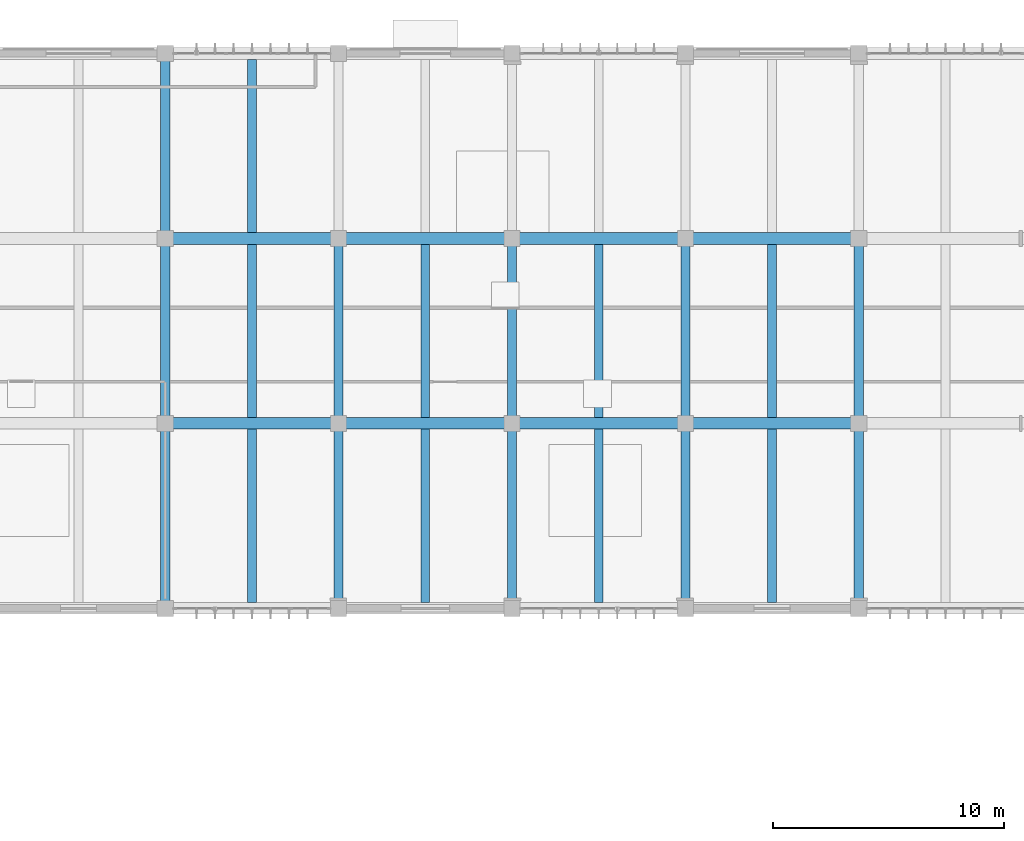
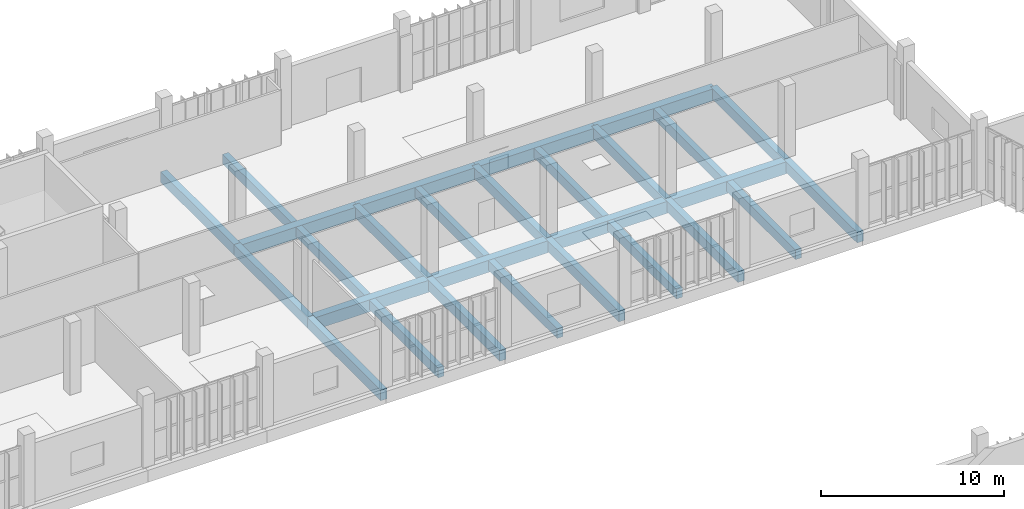
# One storey, part 22 of 72: 28 beams.
"""IFC4 building model written with IfcOpenShell, lengths in metres."""

from ifc_helpers import new_model, si_unit, direction, frame, origin, origin_2d, place, context, subcontext, project, spatial, rectangle, extrude, material, material_profile, profile_set, type_object, element, save


model = new_model("IFC4")

# Units and contexts
model_context = context("Model", 3, precision=1e-05, world=origin(), true_north=direction((0.0, 1.0)))
body_context = subcontext(model_context, "Body", "Model", "MODEL_VIEW")
ifc_project = project(units=[si_unit("LENGTHUNIT", "METRE"), si_unit("AREAUNIT", "SQUARE_METRE"), si_unit("VOLUMEUNIT", "CUBIC_METRE"), si_unit("PLANEANGLEUNIT", "RADIAN"), si_unit("MASSUNIT", "GRAM", prefix="KILO")], contexts=[model_context])

# Site, building, storey
site_placement = place(None, origin())
site = spatial("IfcSite", under=ifc_project, at=site_placement, CompositionType="ELEMENT")
building_placement = place(site_placement, origin())
building = spatial("IfcBuilding", under=site, at=building_placement, Name="Vourika Railside Aquatics Centre", CompositionType="ELEMENT")
storey_placement = place(building_placement, origin())
storey = spatial("IfcBuildingStorey", under=building, at=storey_placement, Name="L00", CompositionType="ELEMENT", Elevation=0.0)

# Beams
ifc_material_1 = material(Name="Concrete C35/45", Category="concrete")
ifc_material_profile_1 = material_profile(ifc_material_1, rectangle(XDim=0.39990234375, YDim=0.699951171875, at=origin_2d()), Name="RC 400x700")
ifc_profile_set_1 = profile_set([ifc_material_profile_1], Name="Concrete C35/45")
beam_type_1 = type_object("IfcBeamType", Name="BM-GIRD-400x700", PredefinedType="BEAM", material=ifc_profile_set_1)
for number, where, z_axis, x_axis, name in (
    (1, (96.0, 92.0, -0.669921875), (0.0, 1.0, 0.0), (-1.0, 0.0, 0.0), "Floor Girder GY-L00-275"),
    (2, (96.0, 100.0, -0.669921875), (0.0, 1.0, 0.0), (-1.0, 0.0, 0.0), "Floor Girder GY-L00-276"),
    (3, (96.0, 108.0, -0.669921875), (0.0, 1.0, 0.0), (-1.0, 0.0, 0.0), "Floor Girder GY-L00-277"),
    (4, (103.5, 92.0, -0.669921875), (0.0, 1.0, 0.0), (-1.0, 0.0, 0.0), "Floor Girder GY-L00-283"),
    (5, (103.5, 100.0, -0.669921875), (0.0, 1.0, 0.0), (-1.0, 0.0, 0.0), "Floor Girder GY-L00-284"),
    (6, (111.0, 92.0, -0.669921875), (0.0, 1.0, 0.0), (-1.0, 0.0, 0.0), "Floor Girder GY-L00-291"),
    (7, (111.0, 100.0, -0.669921875), (0.0, 1.0, 0.0), (-1.0, 0.0, 0.0), "Floor Girder GY-L00-292"),
    (8, (118.5, 92.0, -0.669921875), (0.0, 1.0, 0.0), (-1.0, 0.0, 0.0), "Floor Girder GY-L00-298"),
    (9, (118.5, 100.0, -0.669921875), (0.0, 1.0, 0.0), (-1.0, 0.0, 0.0), "Floor Girder GY-L00-299"),
    (10, (126.0, 92.0, -0.669921875), (0.0, 1.0, 0.0), (-1.0, 0.0, 0.0), "Floor Girder GY-L00-307"),
    (11, (126.0, 100.0, -0.669921875), (0.0, 1.0, 0.0), (-1.0, 0.0, 0.0), "Floor Girder GY-L00-308"),
):
    element("IfcBeam", number, at=place(storey_placement, frame(where, z_axis=z_axis, x_axis=x_axis)), inside=storey, type_object=beam_type_1, Name=name, PredefinedType="BEAM", context=body_context, shape_type="SweptSolid", body=[
        extrude(rectangle(XDim=0.39990234375, YDim=0.699951171875, at=origin_2d()), origin(), (0.0, 0.0, 1.0), 8.0),
    ])
ifc_material_profile_2 = material_profile(ifc_material_1, rectangle(XDim=0.3798828125, YDim=0.64990234375, at=origin_2d()), Name="RC 380x650")
ifc_profile_set_2 = profile_set([ifc_material_profile_2], Name="Concrete C35/45")
beam_type_2 = type_object("IfcBeamType", Name="BM-SEC-380x650", PredefinedType="JOIST", material=ifc_profile_set_2)
for number, where, z_axis, x_axis, name in (
    (12, (99.75, 92.25, -0.64501953125), (0.0, 1.0, 0.0), (-1.0, 0.0, 0.0), "Secondary Joist JY-L00-444"),
    (13, (107.25, 92.25, -0.64501953125), (0.0, 1.0, 0.0), (-1.0, 0.0, 0.0), "Secondary Joist JY-L00-445"),
    (14, (114.75, 92.25, -0.64501953125), (0.0, 1.0, 0.0), (-1.0, 0.0, 0.0), "Secondary Joist JY-L00-446"),
    (15, (122.25, 92.25, -0.64501953125), (0.0, 1.0, 0.0), (-1.0, 0.0, 0.0), "Secondary Joist JY-L00-447"),
    (16, (99.75, 100.25, -0.64501953125), (0.0, 1.0, 0.0), (-1.0, 0.0, 0.0), "Secondary Joist JY-L00-459"),
    (17, (107.25, 100.25, -0.64501953125), (0.0, 1.0, 0.0), (-1.0, 0.0, 0.0), "Secondary Joist JY-L00-460"),
    (18, (114.75, 100.25, -0.64501953125), (0.0, 1.0, 0.0), (-1.0, 0.0, 0.0), "Secondary Joist JY-L00-461"),
    (19, (122.25, 100.25, -0.64501953125), (0.0, 1.0, 0.0), (-1.0, 0.0, 0.0), "Secondary Joist JY-L00-462"),
    (20, (99.75, 108.25, -0.64501953125), (0.0, 1.0, 0.0), (-1.0, 0.0, 0.0), "Secondary Joist JY-L00-470"),
):
    element("IfcBeam", number, at=place(storey_placement, frame(where, z_axis=z_axis, x_axis=x_axis)), inside=storey, type_object=beam_type_2, Name=name, PredefinedType="JOIST", context=body_context, shape_type="SweptSolid", body=[
        extrude(rectangle(XDim=0.3798828125, YDim=0.64990234375, at=origin_2d()), origin(), (0.0, 0.0, 1.0), 7.5),
    ])
ifc_material_2 = material(Name="Concrete C40/50", Category="concrete")
ifc_material_profile_3 = material_profile(ifc_material_2, rectangle(XDim=0.5, YDim=0.800048828125, at=origin_2d()), Name="RC 500x800")
ifc_profile_set_3 = profile_set([ifc_material_profile_3], Name="Concrete C40/50")
beam_type_3 = type_object("IfcBeamType", Name="BM-TIE-500x800", PredefinedType="BEAM", material=ifc_profile_set_3)
for number, where, z_axis, x_axis, name in (
    (21, (96.0, 100.0, -0.719970703125), (1.0, 0.0, 0.0), (0.0, 1.0, 0.0), "Floor Beam GX-L00-153"),
    (22, (103.5, 100.0, -0.719970703125), (1.0, 0.0, 0.0), (0.0, 1.0, 0.0), "Floor Beam GX-L00-154"),
    (23, (111.0, 100.0, -0.719970703125), (1.0, 0.0, 0.0), (0.0, 1.0, 0.0), "Floor Beam GX-L00-155"),
    (24, (118.5, 100.0, -0.719970703125), (1.0, 0.0, 0.0), (0.0, 1.0, 0.0), "Floor Beam GX-L00-156"),
    (25, (96.0, 108.0, -0.719970703125), (1.0, 0.0, 0.0), (0.0, 1.0, 0.0), "Floor Beam GX-L00-168"),
    (26, (103.5, 108.0, -0.719970703125), (1.0, 0.0, 0.0), (0.0, 1.0, 0.0), "Floor Beam GX-L00-169"),
    (27, (111.0, 108.0, -0.719970703125), (1.0, 0.0, 0.0), (0.0, 1.0, 0.0), "Floor Beam GX-L00-170"),
    (28, (118.5, 108.0, -0.719970703125), (1.0, 0.0, 0.0), (0.0, 1.0, 0.0), "Floor Beam GX-L00-171"),
):
    element("IfcBeam", number, at=place(storey_placement, frame(where, z_axis=z_axis, x_axis=x_axis)), inside=storey, type_object=beam_type_3, Name=name, PredefinedType="BEAM", context=body_context, shape_type="SweptSolid", body=[
        extrude(rectangle(XDim=0.5, YDim=0.800048828125, at=origin_2d()), origin(), (0.0, 0.0, 1.0), 7.5),
    ])

save(model, "model.ifc")
